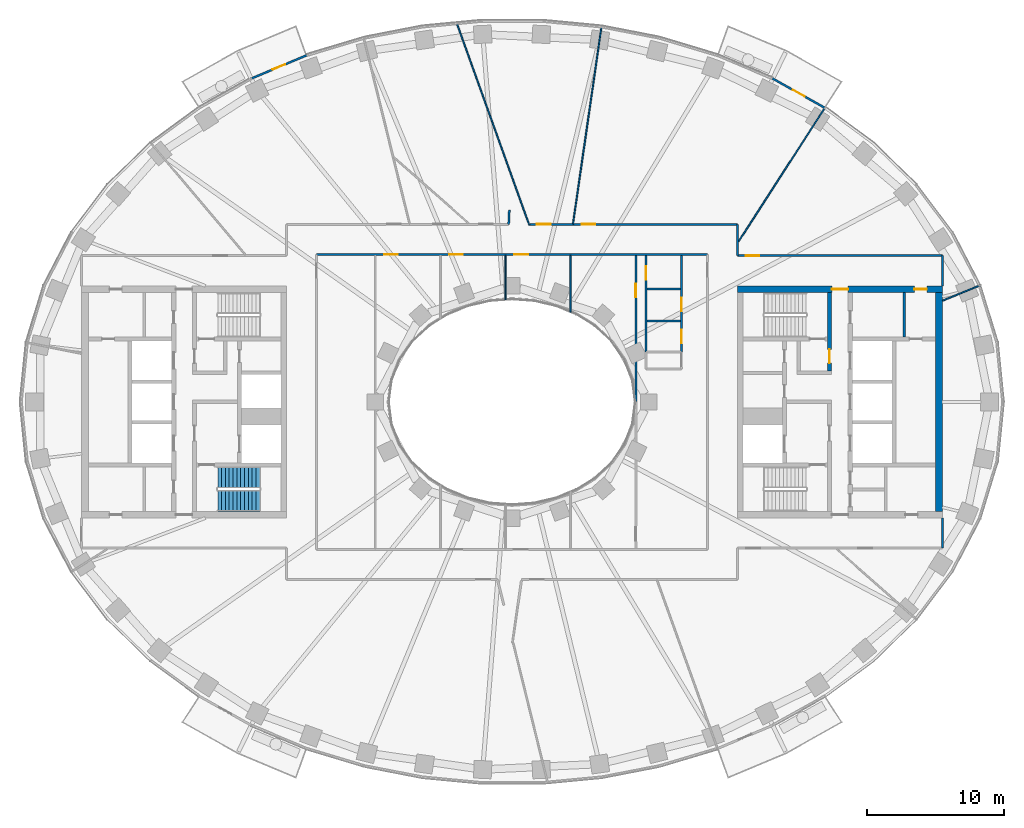
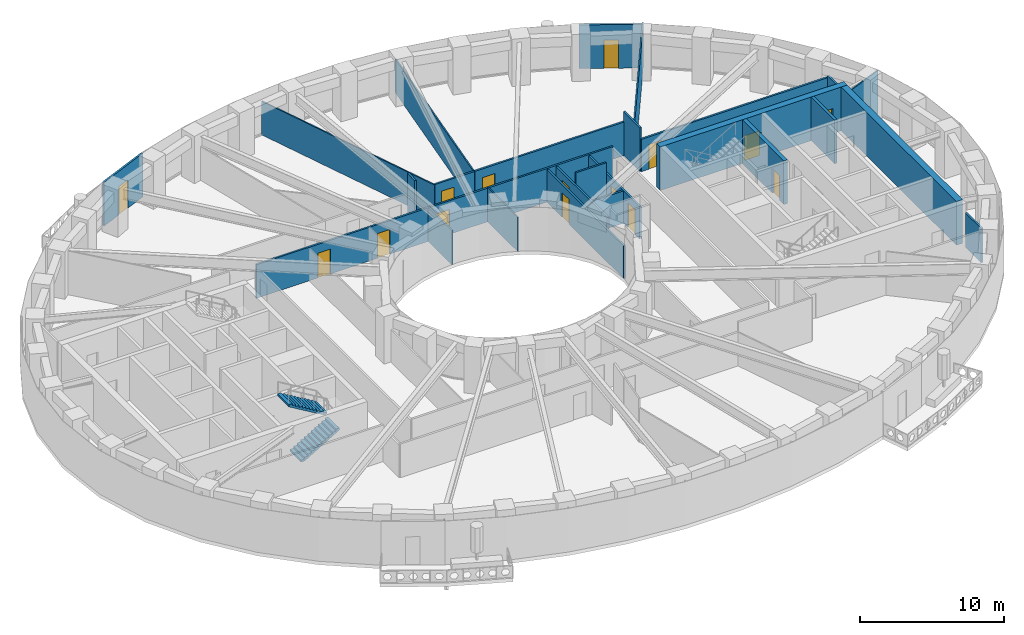
# One storey, part 6 of 15: 25 walls, 15 doors, 2 stair flights, 15 openings, 1 element without a shape of its own.
"""IFC4 building model written with IfcOpenShell, lengths in metres."""

from ifc_helpers import new_model, si_unit, direction, frame, frame_2d, origin, place, context, subcontext, project, spatial, polyline, rectangle, outline, extrude, material, layer, layer_set, type_object, element, fill, aggregate, save


model = new_model("IFC4")

# Units and contexts
model_context = context("Model", 3, precision=1e-05, world=origin(), true_north=direction((0.0, 1.0)))
body_context = subcontext(model_context, "Body", "Model", "MODEL_VIEW")
ifc_project = project(units=[si_unit("LENGTHUNIT", "METRE"), si_unit("AREAUNIT", "SQUARE_METRE"), si_unit("VOLUMEUNIT", "CUBIC_METRE"), si_unit("PLANEANGLEUNIT", "RADIAN"), si_unit("MASSUNIT", "GRAM", prefix="KILO")], contexts=[model_context])

# Site, building, storey
site_placement = place(None, origin())
site = spatial("IfcSite", under=ifc_project, at=site_placement, CompositionType="ELEMENT")
building_placement = place(site_placement, origin())
building = spatial("IfcBuilding", under=site, at=building_placement, Name="Noorbagh Ring Tower", CompositionType="ELEMENT")
storey_placement = place(building_placement, frame((0.0, 0.0, 104.0)))
storey = spatial("IfcBuildingStorey", under=building, at=storey_placement, Name="L23", CompositionType="ELEMENT", Elevation=104.0)

# Wall
ifc_material_1 = material(Name="Gypsum board on steel studs", Category="steel")
ifc_layer_1 = layer(ifc_material_1, 0.199951171875)
ifc_layer_set_1 = layer_set([ifc_layer_1], Name="Gypsum board on steel studs")
wall_type_1 = type_object("IfcWallType", Name="CORE-PARTITION-200", PredefinedType="PARTITIONING", material=ifc_layer_set_1)
wall_1_placement = place(storey_placement, frame((28.699951171875, 4.75, 0.0), z_axis=(0.0, 0.0, 1.0), x_axis=(0.0, 1.0, 0.0)))
element("IfcWall", 1, at=wall_1_placement, inside=storey, type_object=wall_type_1, Name="Core partition E", PredefinedType="PARTITIONING", context=body_context, shape_type="SweptSolid", body=[
    extrude(rectangle(XDim=3.25, YDim=0.199951171875, at=frame_2d((1.625, 0.0))), origin(), (0.0, 0.0, 1.0), 3.699951171875),
])

# Wall, opening, door
ifc_material_2 = material(Name="Concrete C70/85", Category="concrete")
ifc_layer_2 = layer(ifc_material_2, 0.300048828125)
ifc_layer_set_2 = layer_set([ifc_layer_2], Name="Concrete C70/85")
wall_type_2 = type_object("IfcWallType", Name="CORE-WALL-300-C70-85-EI240", PredefinedType="SHEAR", material=ifc_layer_set_2)
wall_2_placement = place(storey_placement, frame((23.22998046875, 2.25, 0.0), z_axis=(0.0, 0.0, 1.0), x_axis=(0.0, 1.0, 0.0)))
wall_2 = element("IfcWall", 2, at=wall_2_placement, inside=storey, type_object=wall_type_2, Name="Core wall E", PredefinedType="SHEAR", context=body_context, shape_type="SweptSolid", body=[
    extrude(rectangle(XDim=5.75, YDim=0.300048828125, at=frame_2d((2.875, 0.0))), origin(), (0.0, 0.0, 1.0), 3.699951171875),
])
opening_1_placement = place(wall_2_placement, frame((0.60009765625, 0.0, 0.0)))
opening_1 = element("IfcOpeningElement", 3, at=opening_1_placement, cuts=wall_2, Name="Opening L23-CE08", PredefinedType="OPENING", context=body_context, shape_type="SweptSolid", body=[
    extrude(rectangle(XDim=1.0, YDim=2.10009765625, at=frame_2d((0.5, 1.050048828125))), frame((0.0, 0.16015625, 0.0), z_axis=(0.0, -1.0, 0.0), x_axis=(1.0, 0.0, 0.0)), (0.0, 0.0, 1.0), 0.320068359375),
])
ifc_material_3 = material(Name="Steel door leaf", Category="steel")
door_type_1 = type_object("IfcDoorType", Name="CORE-DOOR-DVEST", OperationType="SINGLE_SWING_LEFT", PredefinedType="DOOR", material=ifc_material_3)
door_1_placement = place(opening_1_placement, origin())
door_1 = element("IfcDoor", 4, at=door_1_placement, inside=storey, type_object=door_type_1, Name="Stair vestibule door L23-CE08", OperationType="SINGLE_SWING_RIGHT", OverallHeight=2.10009765625, OverallWidth=1.0, PredefinedType="DOOR", context=body_context, shape_type="SweptSolid", body=[
    extrude(rectangle(XDim=1.0, YDim=2.10009765625, at=frame_2d((0.5, 1.050048828125))), frame((0.0, 0.02490234375, 0.0), z_axis=(0.0, -1.0, 0.0), x_axis=(1.0, 0.0, 0.0)), (0.0, 0.0, 1.0), 0.050048828125),
])
fill(opening_1, door_1)

# Wall, openings, doors
ifc_material_4 = material(Name="Concrete C70/85", Category="concrete")
ifc_layer_3 = layer(ifc_material_4, 0.5)
ifc_layer_set_3 = layer_set([ifc_layer_3], Name="Concrete C70/85")
wall_type_3 = type_object("IfcWallType", Name="CORE-WALL-500-C70-85-EI240", PredefinedType="SHEAR", material=ifc_layer_set_3)
wall_3_placement = place(storey_placement, frame((16.5, 8.25, 0.0), z_axis=(0.0, 0.0, 1.0), x_axis=(1.0, 0.0, 0.0)))
wall_3 = element("IfcWall", 5, at=wall_3_placement, inside=storey, type_object=wall_type_3, Name="Core wall E", PredefinedType="SHEAR", context=body_context, shape_type="SweptSolid", body=[
    extrude(rectangle(XDim=15.0, YDim=0.5, at=frame_2d((7.5, 0.0))), origin(), (0.0, 0.0, 1.0), 3.699951171875),
])
opening_2_placement = place(wall_3_placement, frame((6.89990234375, 0.0, 0.0)))
opening_2 = element("IfcOpeningElement", 6, at=opening_2_placement, cuts=wall_3, Name="Opening L23-CE09", PredefinedType="OPENING", context=body_context, shape_type="SweptSolid", body=[
    extrude(rectangle(XDim=1.199951171875, YDim=2.10009765625, at=frame_2d((0.60009765625, 1.050048828125))), frame((0.0, 0.260009765625, 0.0), z_axis=(0.0, -1.0, 0.0), x_axis=(1.0, 0.0, 0.0)), (0.0, 0.0, 1.0), 0.52001953125),
])
opening_3_placement = place(wall_3_placement, frame((12.949951171875, 0.0, 0.0)))
opening_3 = element("IfcOpeningElement", 7, at=opening_3_placement, cuts=wall_3, Name="Opening L23-CE14", PredefinedType="OPENING", context=body_context, shape_type="SweptSolid", body=[
    extrude(rectangle(XDim=0.89990234375, YDim=2.10009765625, at=frame_2d((0.449951171875, 1.050048828125))), frame((0.0, 0.260009765625, 0.0), z_axis=(0.0, -1.0, 0.0), x_axis=(1.0, 0.0, 0.0)), (0.0, 0.0, 1.0), 0.52001953125),
])
ifc_material_5 = material(Name="Steel door leaf", Category="steel")
door_type_2 = type_object("IfcDoorType", Name="CORE-DOOR-DROOM", OperationType="SINGLE_SWING_LEFT", PredefinedType="DOOR", material=ifc_material_5)
door_2_placement = place(opening_3_placement, origin())
door_2 = element("IfcDoor", 8, at=door_2_placement, inside=storey, type_object=door_type_2, Name="Core room door L23-CE14", OperationType="SINGLE_SWING_LEFT", OverallHeight=2.10009765625, OverallWidth=0.89990234375, PredefinedType="DOOR", context=body_context, shape_type="SweptSolid", body=[
    extrude(rectangle(XDim=0.89990234375, YDim=2.10009765625, at=frame_2d((0.449951171875, 1.050048828125))), frame((0.0, 0.02490234375, 0.0), z_axis=(0.0, -1.0, 0.0), x_axis=(1.0, 0.0, 0.0)), (0.0, 0.0, 1.0), 0.050048828125),
])
fill(opening_3, door_2)
ifc_material_6 = material(Name="Steel door leaf", Category="steel")
door_type_3 = type_object("IfcDoorType", Name="CORE-DOOR-PORT", OperationType="DOUBLE_DOOR_DOUBLE_SWING", PredefinedType="DOOR", material=ifc_material_6)
door_3_placement = place(opening_2_placement, origin())
door_3 = element("IfcDoor", 9, at=door_3_placement, inside=storey, type_object=door_type_3, Name="Core entrance door L23-CE09", OperationType="DOUBLE_DOOR_DOUBLE_SWING", OverallHeight=2.10009765625, OverallWidth=1.199951171875, PredefinedType="DOOR", context=body_context, shape_type="SweptSolid", body=[
    extrude(rectangle(XDim=1.199951171875, YDim=2.10009765625, at=frame_2d((0.60009765625, 1.050048828125))), frame((0.0, 0.02490234375, 0.0), z_axis=(0.0, -1.0, 0.0), x_axis=(1.0, 0.0, 0.0)), (0.0, 0.0, 1.0), 0.050048828125),
])
fill(opening_2, door_3)

# Wall
wall_4_placement = place(storey_placement, frame((31.25, -8.0, 0.0), z_axis=(0.0, 0.0, 1.0), x_axis=(0.0, 1.0, 0.0)))
element("IfcWall", 10, at=wall_4_placement, inside=storey, type_object=wall_type_3, Name="Core wall E", PredefinedType="SHEAR", context=body_context, shape_type="SweptSolid", body=[
    extrude(rectangle(XDim=16.0, YDim=0.5, at=frame_2d((8.0, 0.0))), origin(), (0.0, 0.0, 1.0), 3.699951171875),
])

# Wall, openings, doors
ifc_material_7 = material(Name="Gypsum board on steel studs", Category="steel")
ifc_layer_4 = layer(ifc_material_7, 0.14990234375)
ifc_layer_set_4 = layer_set([ifc_layer_4], Name="Gypsum board on steel studs")
wall_type_4 = type_object("IfcWallType", Name="CORRIDOR PARTITION 150 EI 30", PredefinedType="PARTITIONING", material=ifc_layer_set_4)
wall_5_placement = place(storey_placement, frame((-14.300048828125, 10.800048828125, 0.0), z_axis=(0.0, 0.0, 1.0), x_axis=(1.0, 0.0, 0.0)))
wall_5 = element("IfcWall", 11, at=wall_5_placement, inside=storey, type_object=wall_type_4, Name="L23/wall/P14", PredefinedType="PARTITIONING", context=body_context, shape_type="SweptSolid", body=[
    extrude(rectangle(XDim=28.60009765625, YDim=0.14990234375, at=frame_2d((14.300048828125, 0.0))), origin(), (0.0, 0.0, 1.0), 2.85009765625),
])
opening_4_placement = place(wall_5_placement, frame((4.93994140625, 0.0, 0.0)))
opening_4 = element("IfcOpeningElement", 12, at=opening_4_placement, cuts=wall_5, Name="Opening D1", PredefinedType="OPENING", context=body_context, shape_type="SweptSolid", body=[
    extrude(rectangle(XDim=1.0, YDim=2.10009765625, at=frame_2d((0.5, 1.050048828125))), frame((0.0, 0.0849609375, 0.0), z_axis=(0.0, -1.0, 0.0), x_axis=(1.0, 0.0, 0.0)), (0.0, 0.0, 1.0), 0.169921875),
])
opening_5_placement = place(wall_5_placement, frame((9.70703125, 0.0, 0.0)))
opening_5 = element("IfcOpeningElement", 13, at=opening_5_placement, cuts=wall_5, Name="Opening D1", PredefinedType="OPENING", context=body_context, shape_type="SweptSolid", body=[
    extrude(rectangle(XDim=1.0, YDim=2.10009765625, at=frame_2d((0.5, 1.050048828125))), frame((0.0, 0.0849609375, 0.0), z_axis=(0.0, -1.0, 0.0), x_axis=(1.0, 0.0, 0.0)), (0.0, 0.0, 1.0), 0.169921875),
])
opening_6_placement = place(wall_5_placement, frame((14.472900390625, 0.0, 0.0)))
opening_6 = element("IfcOpeningElement", 14, at=opening_6_placement, cuts=wall_5, Name="Opening D1", PredefinedType="OPENING", context=body_context, shape_type="SweptSolid", body=[
    extrude(rectangle(XDim=1.0, YDim=2.10009765625, at=frame_2d((0.5, 1.050048828125))), frame((0.0, 0.0849609375, 0.0), z_axis=(0.0, -1.0, 0.0), x_axis=(1.0, 0.0, 0.0)), (0.0, 0.0, 1.0), 0.169921875),
])
ifc_material_8 = material(Name="Timber, painted", Category="wood")
door_type_4 = type_object("IfcDoorType", Name="DOOR 1000 X 2100 FD30", OperationType="SINGLE_SWING_LEFT", PredefinedType="DOOR", material=ifc_material_8)
door_4_placement = place(opening_4_placement, origin())
door_4 = element("IfcDoor", 15, at=door_4_placement, inside=storey, type_object=door_type_4, Name="L23-D19", OperationType="SINGLE_SWING_LEFT", OverallHeight=2.10009765625, OverallWidth=1.0, PredefinedType="DOOR", context=body_context, shape_type="SweptSolid", body=[
    extrude(rectangle(XDim=1.0, YDim=2.10009765625, at=frame_2d((0.5, 1.050048828125))), frame((0.0, 0.02490234375, 0.0), z_axis=(0.0, -1.0, 0.0), x_axis=(1.0, 0.0, 0.0)), (0.0, 0.0, 1.0), 0.050048828125),
])
fill(opening_4, door_4)
door_5_placement = place(opening_5_placement, origin())
door_5 = element("IfcDoor", 16, at=door_5_placement, inside=storey, type_object=door_type_4, Name="L23-D21", OperationType="SINGLE_SWING_LEFT", OverallHeight=2.10009765625, OverallWidth=1.0, PredefinedType="DOOR", context=body_context, shape_type="SweptSolid", body=[
    extrude(rectangle(XDim=1.0, YDim=2.10009765625, at=frame_2d((0.5, 1.050048828125))), frame((0.0, 0.02490234375, 0.0), z_axis=(0.0, -1.0, 0.0), x_axis=(1.0, 0.0, 0.0)), (0.0, 0.0, 1.0), 0.050048828125),
])
fill(opening_5, door_5)
door_6_placement = place(opening_6_placement, origin())
door_6 = element("IfcDoor", 17, at=door_6_placement, inside=storey, type_object=door_type_4, Name="L23-D23", OperationType="SINGLE_SWING_LEFT", OverallHeight=2.10009765625, OverallWidth=1.0, PredefinedType="DOOR", context=body_context, shape_type="SweptSolid", body=[
    extrude(rectangle(XDim=1.0, YDim=2.10009765625, at=frame_2d((0.5, 1.050048828125))), frame((0.0, 0.02490234375, 0.0), z_axis=(0.0, -1.0, 0.0), x_axis=(1.0, 0.0, 0.0)), (0.0, 0.0, 1.0), 0.050048828125),
])
fill(opening_6, door_6)

# Wall
wall_6_placement = place(storey_placement, frame((-0.243896484375, 13.0, 0.0), z_axis=(0.0, 0.0, 1.0), x_axis=(0.047698455829, 0.998861780884, 0.0)))
element("IfcWall", 18, at=wall_6_placement, inside=storey, type_object=wall_type_4, Name="L23/wall/P25", PredefinedType="PARTITIONING", context=body_context, shape_type="SweptSolid", body=[
    extrude(rectangle(XDim=1.044189453125, YDim=0.14990234375, at=frame_2d((0.52197265625, 0.0))), origin(), (0.0, 0.0, 1.0), 3.699951171875),
])

# Wall, opening, door
wall_7_placement = place(storey_placement, frame((1.299072265625, 13.0, 0.0), z_axis=(0.0, 0.0, 1.0), x_axis=(1.0, 0.0, 0.0)))
wall_7 = element("IfcWall", 19, at=wall_7_placement, inside=storey, type_object=wall_type_4, Name="L23/wall/P30", PredefinedType="PARTITIONING", context=body_context, shape_type="SweptSolid", body=[
    extrude(rectangle(XDim=3.159912109375, YDim=0.14990234375, at=frame_2d((1.580078125, 0.0))), origin(), (0.0, 0.0, 1.0), 2.85009765625),
])
opening_7_placement = place(wall_7_placement, frame((0.530029296875, 0.0, 0.0)))
opening_7 = element("IfcOpeningElement", 20, at=opening_7_placement, cuts=wall_7, Name="Opening D1", PredefinedType="OPENING", context=body_context, shape_type="SweptSolid", body=[
    extrude(rectangle(XDim=1.0, YDim=2.10009765625, at=frame_2d((0.5, 1.050048828125))), frame((0.0, 0.0849609375, 0.0), z_axis=(0.0, -1.0, 0.0), x_axis=(1.0, 0.0, 0.0)), (0.0, 0.0, 1.0), 0.169921875),
])
door_7_placement = place(opening_7_placement, origin())
door_7 = element("IfcDoor", 21, at=door_7_placement, inside=storey, type_object=door_type_4, Name="L23-D12", OperationType="SINGLE_SWING_RIGHT", OverallHeight=2.10009765625, OverallWidth=1.0, PredefinedType="DOOR", context=body_context, shape_type="SweptSolid", body=[
    extrude(rectangle(XDim=1.0, YDim=2.10009765625, at=frame_2d((0.5, 1.050048828125))), frame((0.0, 0.02490234375, 0.0), z_axis=(0.0, -1.0, 0.0), x_axis=(1.0, 0.0, 0.0)), (0.0, 0.0, 1.0), 0.050048828125),
])
fill(opening_7, door_7)

wall_8_placement = place(storey_placement, frame((4.47900390625, 13.0, 0.0), z_axis=(0.0, 0.0, 1.0), x_axis=(1.0, 0.0, 0.0)))
wall_8 = element("IfcWall", 22, at=wall_8_placement, inside=storey, type_object=wall_type_4, Name="L23/wall/P34", PredefinedType="PARTITIONING", context=body_context, shape_type="SweptSolid", body=[
    extrude(rectangle(XDim=12.02099609375, YDim=0.14990234375, at=frame_2d((6.010498046875, 0.0))), origin(), (0.0, 0.0, 1.0), 2.85009765625),
])
opening_8_placement = place(wall_8_placement, frame((0.62109375, 0.0, 0.0)))
opening_8 = element("IfcOpeningElement", 23, at=opening_8_placement, cuts=wall_8, Name="Opening D1", PredefinedType="OPENING", context=body_context, shape_type="SweptSolid", body=[
    extrude(rectangle(XDim=1.0, YDim=2.10009765625, at=frame_2d((0.5, 1.050048828125))), frame((0.0, 0.0849609375, 0.0), z_axis=(0.0, -1.0, 0.0), x_axis=(1.0, 0.0, 0.0)), (0.0, 0.0, 1.0), 0.169921875),
])
door_8_placement = place(opening_8_placement, origin())
door_8 = element("IfcDoor", 24, at=door_8_placement, inside=storey, type_object=door_type_4, Name="L23-D14", OperationType="SINGLE_SWING_RIGHT", OverallHeight=2.10009765625, OverallWidth=1.0, PredefinedType="DOOR", context=body_context, shape_type="SweptSolid", body=[
    extrude(rectangle(XDim=1.0, YDim=2.10009765625, at=frame_2d((0.5, 1.050048828125))), frame((0.0, 0.02490234375, 0.0), z_axis=(0.0, -1.0, 0.0), x_axis=(1.0, 0.0, 0.0)), (0.0, 0.0, 1.0), 0.050048828125),
])
fill(opening_8, door_8)

wall_9_placement = place(storey_placement, frame((9.056884765625, 0.044921875, 0.0), z_axis=(0.0, 0.0, 1.0), x_axis=(0.0, 1.0, 0.0)))
wall_9 = element("IfcWall", 25, at=wall_9_placement, inside=storey, type_object=wall_type_4, Name="L23/wall/P36", PredefinedType="PARTITIONING", context=body_context, shape_type="SweptSolid", body=[
    extrude(rectangle(XDim=10.68017578125, YDim=0.14990234375, at=frame_2d((5.340087890625, 0.0))), origin(), (0.0, 0.0, 1.0), 2.75),
])
opening_9_placement = place(wall_9_placement, frame((7.60498046875, 0.0, 0.0)))
opening_9 = element("IfcOpeningElement", 26, at=opening_9_placement, cuts=wall_9, Name="Opening D1", PredefinedType="OPENING", context=body_context, shape_type="SweptSolid", body=[
    extrude(rectangle(XDim=1.0, YDim=2.10009765625, at=frame_2d((0.5, 1.050048828125))), frame((0.0, 0.0849609375, 0.0), z_axis=(0.0, -1.0, 0.0), x_axis=(1.0, 0.0, 0.0)), (0.0, 0.0, 1.0), 0.169921875),
])
door_9_placement = place(opening_9_placement, origin())
door_9 = element("IfcDoor", 27, at=door_9_placement, inside=storey, type_object=door_type_4, Name="L23-D25", OperationType="SINGLE_SWING_LEFT", OverallHeight=2.10009765625, OverallWidth=1.0, PredefinedType="DOOR", context=body_context, shape_type="SweptSolid", body=[
    extrude(rectangle(XDim=1.0, YDim=2.10009765625, at=frame_2d((0.5, 1.050048828125))), frame((0.0, 0.02490234375, 0.0), z_axis=(0.0, -1.0, 0.0), x_axis=(1.0, 0.0, 0.0)), (0.0, 0.0, 1.0), 0.050048828125),
])
fill(opening_9, door_9)

wall_10_placement = place(storey_placement, frame((9.800048828125, 3.659912109375, 0.0), z_axis=(0.0, 0.0, 1.0), x_axis=(0.0, 1.0, 0.0)))
wall_10 = element("IfcWall", 28, at=wall_10_placement, inside=storey, type_object=wall_type_4, Name="L23/wall/P38", PredefinedType="PARTITIONING", context=body_context, shape_type="SweptSolid", body=[
    extrude(rectangle(XDim=7.065185546875, YDim=0.14990234375, at=frame_2d((3.53271484375, 0.0))), origin(), (0.0, 0.0, 1.0), 2.75),
])
opening_10_placement = place(wall_10_placement, frame((5.27001953125, 0.0, 0.0)))
opening_10 = element("IfcOpeningElement", 29, at=opening_10_placement, cuts=wall_10, Name="Opening D3", PredefinedType="OPENING", context=body_context, shape_type="SweptSolid", body=[
    extrude(rectangle(XDim=1.0, YDim=2.10009765625, at=frame_2d((0.5, 1.050048828125))), frame((0.0, 0.0849609375, 0.0), z_axis=(0.0, -1.0, 0.0), x_axis=(1.0, 0.0, 0.0)), (0.0, 0.0, 1.0), 0.169921875),
])
ifc_material_9 = material(Name="Timber, painted", Category="wood")
door_type_5 = type_object("IfcDoorType", Name="DOOR 1000 X 2100 WC", OperationType="SINGLE_SWING_LEFT", PredefinedType="DOOR", material=ifc_material_9)
door_10_placement = place(opening_10_placement, origin())
door_10 = element("IfcDoor", 30, at=door_10_placement, inside=storey, type_object=door_type_5, Name="L23-D02", OperationType="SINGLE_SWING_RIGHT", OverallHeight=2.10009765625, OverallWidth=1.0, PredefinedType="DOOR", context=body_context, shape_type="SweptSolid", body=[
    extrude(rectangle(XDim=1.0, YDim=2.10009765625, at=frame_2d((0.5, 1.050048828125))), frame((0.0, 0.02490234375, 0.0), z_axis=(0.0, -1.0, 0.0), x_axis=(1.0, 0.0, 0.0)), (0.0, 0.0, 1.0), 0.050048828125),
])
fill(opening_10, door_10)

# Walls
wall_11_placement = place(storey_placement, frame((9.875, 5.927978515625, 0.0), z_axis=(0.0, 0.0, 1.0), x_axis=(1.0, 0.0, 0.0)))
element("IfcWall", 31, at=wall_11_placement, inside=storey, type_object=wall_type_4, Name="L23/wall/P40", PredefinedType="PARTITIONING", context=body_context, shape_type="SweptSolid", body=[
    extrude(rectangle(XDim=2.449951171875, YDim=0.14990234375, at=frame_2d((1.22509765625, 0.0))), origin(), (0.0, 0.0, 1.0), 2.75),
])
wall_12_placement = place(storey_placement, frame((9.875, 8.280029296875, 0.0), z_axis=(0.0, 0.0, 1.0), x_axis=(1.0, 0.0, 0.0)))
element("IfcWall", 32, at=wall_12_placement, inside=storey, type_object=wall_type_4, Name="L23/wall/P41", PredefinedType="PARTITIONING", context=body_context, shape_type="SweptSolid", body=[
    extrude(rectangle(XDim=2.449951171875, YDim=0.14990234375, at=frame_2d((1.22509765625, 0.0))), origin(), (0.0, 0.0, 1.0), 3.699951171875),
])

# Wall, openings, doors
wall_13_placement = place(storey_placement, frame((12.39990234375, 3.659912109375, 0.0), z_axis=(0.0, 0.0, 1.0), x_axis=(0.0, 1.0, 0.0)))
wall_13 = element("IfcWall", 33, at=wall_13_placement, inside=storey, type_object=wall_type_4, Name="L23/wall/P46", PredefinedType="PARTITIONING", context=body_context, shape_type="SweptSolid", body=[
    extrude(rectangle(XDim=7.065185546875, YDim=0.14990234375, at=frame_2d((3.53271484375, 0.0))), origin(), (0.0, 0.0, 1.0), 2.75),
])
opening_11_placement = place(wall_13_placement, frame((2.969970703125, 0.0, 0.0)))
opening_11 = element("IfcOpeningElement", 34, at=opening_11_placement, cuts=wall_13, Name="Opening D3", PredefinedType="OPENING", context=body_context, shape_type="SweptSolid", body=[
    extrude(rectangle(XDim=1.0, YDim=2.10009765625, at=frame_2d((0.5, 1.050048828125))), frame((0.0, 0.0849609375, 0.0), z_axis=(0.0, -1.0, 0.0), x_axis=(1.0, 0.0, 0.0)), (0.0, 0.0, 1.0), 0.169921875),
])
opening_12_placement = place(wall_13_placement, frame((0.617919921875, 0.0, 0.0)))
opening_12 = element("IfcOpeningElement", 35, at=opening_12_placement, cuts=wall_13, Name="Opening D3", PredefinedType="OPENING", context=body_context, shape_type="SweptSolid", body=[
    extrude(rectangle(XDim=1.0, YDim=2.10009765625, at=frame_2d((0.5, 1.050048828125))), frame((0.0, 0.0849609375, 0.0), z_axis=(0.0, -1.0, 0.0), x_axis=(1.0, 0.0, 0.0)), (0.0, 0.0, 1.0), 0.169921875),
])
door_11_placement = place(opening_11_placement, origin())
door_11 = element("IfcDoor", 36, at=door_11_placement, inside=storey, type_object=door_type_5, Name="L23-D03", OperationType="SINGLE_SWING_LEFT", OverallHeight=2.10009765625, OverallWidth=1.0, PredefinedType="DOOR", context=body_context, shape_type="SweptSolid", body=[
    extrude(rectangle(XDim=1.0, YDim=2.10009765625, at=frame_2d((0.5, 1.050048828125))), frame((0.0, 0.02490234375, 0.0), z_axis=(0.0, -1.0, 0.0), x_axis=(1.0, 0.0, 0.0)), (0.0, 0.0, 1.0), 0.050048828125),
])
fill(opening_11, door_11)
door_12_placement = place(opening_12_placement, origin())
door_12 = element("IfcDoor", 37, at=door_12_placement, inside=storey, type_object=door_type_5, Name="L23-D04", OperationType="SINGLE_SWING_RIGHT", OverallHeight=2.10009765625, OverallWidth=1.0, PredefinedType="DOOR", context=body_context, shape_type="SweptSolid", body=[
    extrude(rectangle(XDim=1.0, YDim=2.10009765625, at=frame_2d((0.5, 1.050048828125))), frame((0.0, 0.02490234375, 0.0), z_axis=(0.0, -1.0, 0.0), x_axis=(1.0, 0.0, 0.0)), (0.0, 0.0, 1.0), 0.050048828125),
])
fill(opening_12, door_12)

# Wall
wall_14_placement = place(storey_placement, frame((16.5, 10.699951171875, 0.0), z_axis=(0.0, 0.0, 1.0), x_axis=(0.0, 1.0, 0.0)))
element("IfcWall", 38, at=wall_14_placement, inside=storey, type_object=wall_type_4, Name="L23/wall/P50", PredefinedType="PARTITIONING", context=body_context, shape_type="SweptSolid", body=[
    extrude(rectangle(XDim=2.300048828125, YDim=0.14990234375, at=frame_2d((1.14990234375, 0.0))), origin(), (0.0, 0.0, 1.0), 3.699951171875),
])

# Wall, opening, door
wall_15_placement = place(storey_placement, frame((16.5, 10.699951171875, 0.0), z_axis=(0.0, 0.0, 1.0), x_axis=(1.0, 0.0, 0.0)))
wall_15 = element("IfcWall", 39, at=wall_15_placement, inside=storey, type_object=wall_type_4, Name="L23/wall/P51", PredefinedType="PARTITIONING", context=body_context, shape_type="SweptSolid", body=[
    extrude(rectangle(XDim=15.0, YDim=0.14990234375, at=frame_2d((7.5, 0.0))), origin(), (0.0, 0.0, 1.0), 2.75),
])
opening_13_placement = place(wall_15_placement, frame((0.60009765625, 0.0, 0.0)))
opening_13 = element("IfcOpeningElement", 40, at=opening_13_placement, cuts=wall_15, Name="Opening D1", PredefinedType="OPENING", context=body_context, shape_type="SweptSolid", body=[
    extrude(rectangle(XDim=1.0, YDim=2.10009765625, at=frame_2d((0.5, 1.050048828125))), frame((0.0, 0.0849609375, 0.0), z_axis=(0.0, -1.0, 0.0), x_axis=(1.0, 0.0, 0.0)), (0.0, 0.0, 1.0), 0.169921875),
])
door_13_placement = place(opening_13_placement, origin())
door_13 = element("IfcDoor", 41, at=door_13_placement, inside=storey, type_object=door_type_4, Name="L23-D16", OperationType="SINGLE_SWING_RIGHT", OverallHeight=2.10009765625, OverallWidth=1.0, PredefinedType="DOOR", context=body_context, shape_type="SweptSolid", body=[
    extrude(rectangle(XDim=1.0, YDim=2.10009765625, at=frame_2d((0.5, 1.050048828125))), frame((0.0, 0.02490234375, 0.0), z_axis=(0.0, -1.0, 0.0), x_axis=(1.0, 0.0, 0.0)), (0.0, 0.0, 1.0), 0.050048828125),
])
fill(opening_13, door_13)

# Walls
for number, where, z_axis, x_axis, name in (
    (42, (31.5, -10.699951171875, 0.0), (0.0, 0.0, 1.0), (0.0, 1.0, 0.0), "L23/wall/P54"),
    (43, (31.5, 8.5, 0.0), (0.0, 0.0, 1.0), (0.0, 1.0, 0.0), "L23/wall/P56"),
):
    element("IfcWall", number, at=place(storey_placement, frame(where, z_axis=z_axis, x_axis=x_axis)), inside=storey, type_object=wall_type_4, Name=name, PredefinedType="PARTITIONING", context=body_context, shape_type="SweptSolid", body=[
        extrude(rectangle(XDim=2.199951171875, YDim=0.14990234375, at=frame_2d((1.10009765625, 0.0))), origin(), (0.0, 0.0, 1.0), 2.89990234375),
    ])

# Wall, opening, door
ifc_material_10 = material(Name="Insulated aluminium clad panel", Category="aluminium")
ifc_layer_5 = layer(ifc_material_10, 0.14990234375)
ifc_layer_set_5 = layer_set([ifc_layer_5], Name="Insulated aluminium clad panel")
wall_type_5 = type_object("IfcWallType", Name="ENV-WALL-DOOR", PredefinedType="STANDARD", material=ifc_layer_set_5)
wall_16_placement = place(storey_placement, frame((22.913330078125, 21.508544921875, 0.0), z_axis=(0.0, 0.0, 1.0), x_axis=(-0.872046572975, 0.489422899509, 0.0)))
wall_16 = element("IfcWall", 44, at=wall_16_placement, inside=storey, type_object=wall_type_5, Name="Balcony door wall chord 07", PredefinedType="STANDARD", context=body_context, shape_type="SweptSolid", body=[
    extrude(rectangle(XDim=4.425537109375, YDim=0.14990234375, at=frame_2d((2.212890625, 0.0))), origin(), (0.0, 0.0, 1.0), 3.699951171875),
])
opening_14_placement = place(wall_16_placement, frame((1.712646484375, 0.0, 0.0)))
opening_14 = element("IfcOpeningElement", 45, at=opening_14_placement, cuts=wall_16, Name="Opening D-BL", PredefinedType="OPENING", context=body_context, shape_type="SweptSolid", body=[
    extrude(rectangle(XDim=1.0, YDim=2.39990234375, at=frame_2d((0.5, 1.199951171875))), frame((0.0, 0.0849609375, 0.0), z_axis=(0.0, -1.0, 0.0), x_axis=(1.0, 0.0, 0.0)), (0.0, 0.0, 1.0), 0.169921875),
])
ifc_material_11 = material(Name="Aluminium and glass", Category="aluminium")
door_type_6 = type_object("IfcDoorType", Name="ENV-DOOR-BALCONY", OperationType="SINGLE_SWING_LEFT", PredefinedType="DOOR", material=ifc_material_11)
door_14_placement = place(opening_14_placement, origin())
door_14 = element("IfcDoor", 46, at=door_14_placement, inside=storey, type_object=door_type_6, Name="Balcony door chord 07", OperationType="SINGLE_SWING_RIGHT", OverallHeight=2.39990234375, OverallWidth=1.0, PredefinedType="DOOR", context=body_context, shape_type="SweptSolid", body=[
    extrude(rectangle(XDim=1.0, YDim=2.39990234375, at=frame_2d((0.5, 1.199951171875))), frame((0.0, 0.02490234375, 0.0), z_axis=(0.0, -1.0, 0.0), x_axis=(1.0, 0.0, 0.0)), (0.0, 0.0, 1.0), 0.050048828125),
])
fill(opening_14, door_14)

wall_17_placement = place(storey_placement, frame((-15.017822265625, 25.368896484375, 0.0), z_axis=(0.0, 0.0, 1.0), x_axis=(-0.921816985161, -0.387625393736, 0.0)))
wall_17 = element("IfcWall", 47, at=wall_17_placement, inside=storey, type_object=wall_type_5, Name="Balcony door wall chord 16", PredefinedType="STANDARD", context=body_context, shape_type="SweptSolid", body=[
    extrude(rectangle(XDim=4.42578125, YDim=0.14990234375, at=frame_2d((2.212890625, 0.0))), origin(), (0.0, 0.0, 1.0), 3.699951171875),
])
opening_15_placement = place(wall_17_placement, frame((1.712890625, 0.0, 0.0)))
opening_15 = element("IfcOpeningElement", 48, at=opening_15_placement, cuts=wall_17, Name="Opening D-BL", PredefinedType="OPENING", context=body_context, shape_type="SweptSolid", body=[
    extrude(rectangle(XDim=1.0, YDim=2.39990234375, at=frame_2d((0.5, 1.199951171875))), frame((0.0, 0.0849609375, 0.0), z_axis=(0.0, -1.0, 0.0), x_axis=(1.0, 0.0, 0.0)), (0.0, 0.0, 1.0), 0.169921875),
])
door_15_placement = place(opening_15_placement, origin())
door_15 = element("IfcDoor", 49, at=door_15_placement, inside=storey, type_object=door_type_6, Name="Balcony door chord 16", OperationType="SINGLE_SWING_RIGHT", OverallHeight=2.39990234375, OverallWidth=1.0, PredefinedType="DOOR", context=body_context, shape_type="SweptSolid", body=[
    extrude(rectangle(XDim=1.0, YDim=2.39990234375, at=frame_2d((0.5, 1.199951171875))), frame((0.0, 0.02490234375, 0.0), z_axis=(0.0, -1.0, 0.0), x_axis=(1.0, 0.0, 0.0)), (0.0, 0.0, 1.0), 0.050048828125),
])
fill(opening_15, door_15)

# Walls
ifc_material_12 = material(Name="Gypsum board on steel studs", Category="steel")
ifc_layer_6 = layer(ifc_material_12, 0.10009765625)
ifc_layer_set_6 = layer_set([ifc_layer_6], Name="Gypsum board on steel studs")
wall_type_6 = type_object("IfcWallType", Name="PARTITION 100 GYPSUM", PredefinedType="PARTITIONING", material=ifc_layer_set_6)
wall_18_placement = place(storey_placement, frame((-4.0458984375, 27.717041015625, 0.0), z_axis=(0.0, 0.0, 1.0), x_axis=(0.338390477133, -0.941005783715, 0.0)))
element("IfcWall", 50, at=wall_18_placement, inside=storey, type_object=wall_type_6, Name="L23/wall/P21", PredefinedType="PARTITIONING", context=body_context, shape_type="SweptSolid", body=[
    extrude(rectangle(XDim=15.715087890625, YDim=0.10009765625, at=frame_2d((7.857421875, 0.0))), origin(), (0.0, 0.0, 1.0), 2.85009765625),
])
wall_19_placement = place(storey_placement, frame((-0.47705078125, 7.468017578125, 0.0), z_axis=(0.0, 0.0, 1.0), x_axis=(0.0, 1.0, 0.0)))
element("IfcWall", 51, at=wall_19_placement, inside=storey, type_object=wall_type_6, Name="L23/wall/P24", PredefinedType="PARTITIONING", context=body_context, shape_type="SweptSolid", body=[
    extrude(rectangle(XDim=3.257080078125, YDim=0.10009765625, at=frame_2d((1.62841796875, 0.0))), origin(), (0.0, 0.0, 1.0), 2.89990234375),
])
wall_20_placement = place(storey_placement, frame((4.2900390625, 6.568115234375, 0.0), z_axis=(0.0, 0.0, 1.0), x_axis=(0.0, 1.0, 0.0)))
element("IfcWall", 52, at=wall_20_placement, inside=storey, type_object=wall_type_6, Name="L23/wall/P32", PredefinedType="PARTITIONING", context=body_context, shape_type="SweptSolid", body=[
    extrude(rectangle(XDim=4.156982421875, YDim=0.10009765625, at=frame_2d((2.07861328125, 0.0))), origin(), (0.0, 0.0, 1.0), 2.89990234375),
])
wall_21_placement = place(storey_placement, frame((4.458984375, 13.00390625, 0.0), z_axis=(0.0, 0.0, 1.0), x_axis=(0.143087196312, 0.98971008596, 0.0)))
element("IfcWall", 53, at=wall_21_placement, inside=storey, type_object=wall_type_6, Name="L23/wall/P33", PredefinedType="PARTITIONING", context=body_context, shape_type="SweptSolid", body=[
    extrude(rectangle(XDim=14.627685546875, YDim=0.10009765625, at=frame_2d((7.31396484375, 0.0))), origin(), (0.0, 0.0, 1.0), 2.85009765625),
])
wall_22_placement = place(storey_placement, frame((16.574951171875, 11.73291015625, 0.0), z_axis=(0.0, 0.0, 1.0), x_axis=(0.54222594427, 0.840232720953, 0.0)))
element("IfcWall", 54, at=wall_22_placement, inside=storey, type_object=wall_type_6, Name="L23/wall/P52", PredefinedType="PARTITIONING", context=body_context, shape_type="SweptSolid", body=[
    extrude(rectangle(XDim=11.67431640625, YDim=0.10009765625, at=frame_2d((5.837158203125, 0.0))), origin(), (0.0, 0.0, 1.0), 3.699951171875),
])
wall_23_placement = place(storey_placement, frame((31.5, 7.409912109375, 0.0), z_axis=(0.0, 0.0, 1.0), x_axis=(0.925344112436, 0.379128307542, 0.0)))
element("IfcWall", 55, at=wall_23_placement, inside=storey, type_object=wall_type_6, Name="L23/wall/P55", PredefinedType="PARTITIONING", context=body_context, shape_type="SweptSolid", body=[
    extrude(rectangle(XDim=2.954345703125, YDim=0.10009765625, at=frame_2d((1.47705078125, 0.0))), origin(), (0.0, 0.0, 1.0), 3.699951171875),
])

# Stair, stair flights
ifc_material_13 = material(Name="Concrete C40/50", Category="concrete")
stair_type = type_object("IfcStairType", Name="CORE-STAIR", PredefinedType="HALF_TURN_STAIR", material=ifc_material_13)
stair_placement = place(storey_placement, origin())
stair = element("IfcStair", 56, at=stair_placement, inside=storey, type_object=stair_type, Name="L23 Exit stair ST2", PredefinedType="HALF_TURN_STAIR")
ifc_material_14 = material(Name="Concrete C40/50", Category="concrete")
stair_flight_type = type_object("IfcStairFlightType", Name="CORE-STAIR-FLIGHT", PredefinedType="STRAIGHT", material=ifc_material_14)
stair_flight_1_placement = place(storey_placement, frame((-21.530029296875, -7.22509765625, 0.0), z_axis=(0.0, 0.0, 1.0), x_axis=(1.0, 0.0, 0.0)))
stair_flight_1 = element("IfcStairFlight", 57, at=stair_flight_1_placement, type_object=stair_flight_type, Name="ST2 flight 1", NumberOfRisers=12, NumberOfTreads=11, PredefinedType="STRAIGHT", RiserHeight=0.166666667, TreadLength=0.28, context=body_context, shape_type="SweptSolid", body=[
    extrude(outline(polyline([(0.0, 0.0), (0.0, 0.166748046875), (0.280029296875, 0.166748046875), (0.280029296875, 0.333251953125), (0.56005859375, 0.333251953125), (0.56005859375, 0.5), (0.840087890625, 0.5), (0.840087890625, 0.666748046875), (1.1201171875, 0.666748046875), (1.1201171875, 0.833251953125), (1.39990234375, 0.833251953125), (1.39990234375, 1.0), (1.679931640625, 1.0), (1.679931640625, 1.166748046875), (1.9599609375, 1.166748046875), (1.9599609375, 1.333251953125), (2.239990234375, 1.333251953125), (2.239990234375, 1.5), (2.52001953125, 1.5), (2.52001953125, 1.666748046875), (2.800048828125, 1.666748046875), (2.800048828125, 1.833251953125), (3.080078125, 1.833251953125), (3.080078125, 2.0), (3.080078125, 1.658935546875), (0.29296875, 0.0), (0.0, 0.0)])), frame((0.0, 0.77490234375, 0.0), z_axis=(0.0, -1.0, 0.0), x_axis=(1.0, 0.0, 0.0)), (0.0, 0.0, 1.0), 1.550048828125),
])
stair_flight_2_placement = place(storey_placement, frame((-18.449951171875, -5.52490234375, 2.0), z_axis=(0.0, 0.0, 1.0), x_axis=(-1.0, 0.0, 0.0)))
stair_flight_2 = element("IfcStairFlight", 58, at=stair_flight_2_placement, type_object=stair_flight_type, Name="ST2 flight 2", NumberOfRisers=12, NumberOfTreads=11, PredefinedType="STRAIGHT", RiserHeight=0.166666667, TreadLength=0.28, context=body_context, shape_type="SweptSolid", body=[
    extrude(outline(polyline([(0.0, 0.0), (0.0, 0.166748046875), (0.280029296875, 0.166748046875), (0.280029296875, 0.333251953125), (0.56005859375, 0.333251953125), (0.56005859375, 0.5), (0.840087890625, 0.5), (0.840087890625, 0.666748046875), (1.1201171875, 0.666748046875), (1.1201171875, 0.833251953125), (1.39990234375, 0.833251953125), (1.39990234375, 1.0), (1.679931640625, 1.0), (1.679931640625, 1.166748046875), (1.9599609375, 1.166748046875), (1.9599609375, 1.333251953125), (2.239990234375, 1.333251953125), (2.239990234375, 1.5), (2.52001953125, 1.5), (2.52001953125, 1.666748046875), (2.800048828125, 1.666748046875), (2.800048828125, 1.833251953125), (3.080078125, 1.833251953125), (3.080078125, 2.0), (3.080078125, 1.658935546875), (0.29296875, 0.0), (0.0, 0.0)])), frame((0.0, 0.77490234375, 0.0), z_axis=(0.0, -1.0, 0.0), x_axis=(1.0, 0.0, 0.0)), (0.0, 0.0, 1.0), 1.550048828125),
])
aggregate(stair, [stair_flight_1, stair_flight_2])

save(model, "model.ifc")
